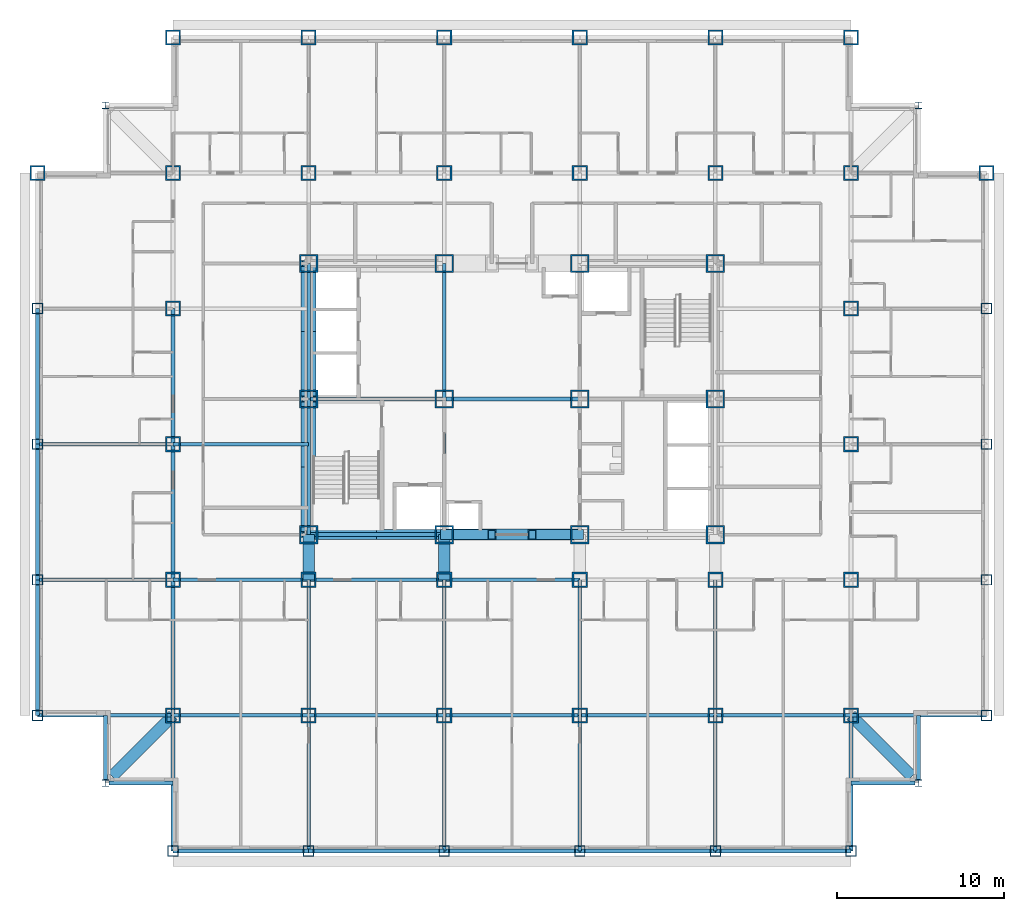
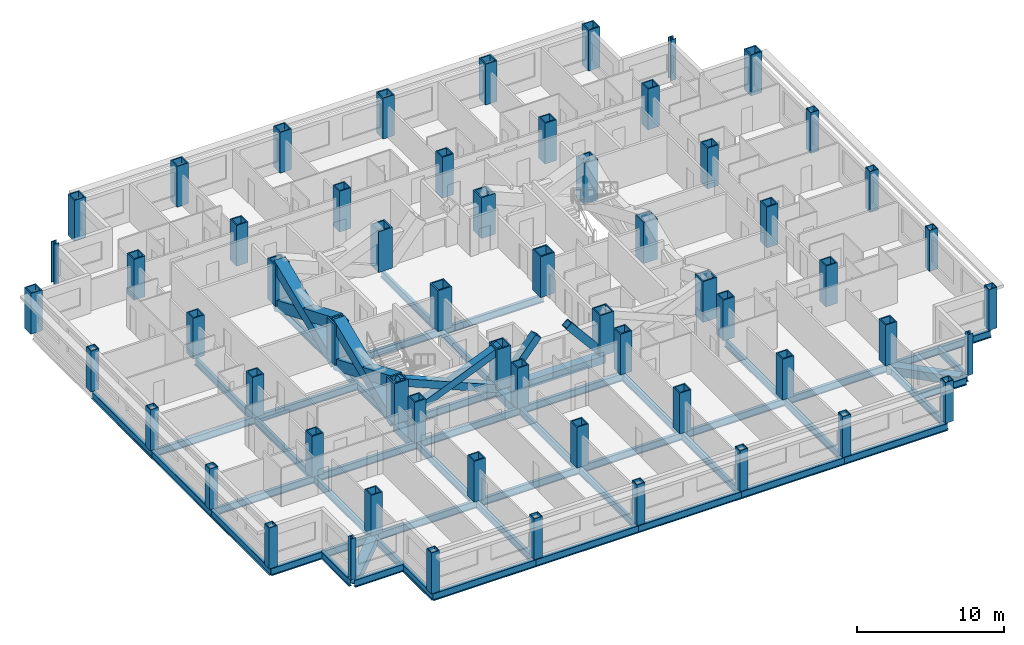
# One storey, part 1 of 14: 60 columns, 50 beams, 8 members.
"""IFC4 building model written with IfcOpenShell, lengths in metres."""

from ifc_helpers import new_model, si_unit, direction, frame, origin, origin_2d, place, context, subcontext, project, spatial, hollow_rectangle, i_section, extrude, material, material_profile, profile_set, type_object, element, save


model = new_model("IFC4")

# Units and contexts
model_context = context("Model", 3, precision=1e-05, world=origin(), true_north=direction((0.0, 1.0)))
body_context = subcontext(model_context, "Body", "Model", "MODEL_VIEW")
ifc_project = project(units=[si_unit("LENGTHUNIT", "METRE"), si_unit("AREAUNIT", "SQUARE_METRE"), si_unit("VOLUMEUNIT", "CUBIC_METRE"), si_unit("PLANEANGLEUNIT", "RADIAN"), si_unit("MASSUNIT", "GRAM", prefix="KILO")], contexts=[model_context])

# Site, building, storey
site_placement = place(None, origin())
site = spatial("IfcSite", under=ifc_project, at=site_placement, CompositionType="ELEMENT")
building_placement = place(site_placement, origin())
building = spatial("IfcBuilding", under=site, at=building_placement, Name="Kopane Lantern Tower", CompositionType="ELEMENT")
storey_placement = place(building_placement, frame((0.0, 0.0, 127.199951171875)))
storey = spatial("IfcBuildingStorey", under=building, at=storey_placement, Name="L32", CompositionType="ELEMENT", Elevation=127.199951171875)

# Columns
ifc_material_1 = material(Name="Steel S355JR", Category="steel")
ifc_material_profile_1 = material_profile(ifc_material_1, hollow_rectangle(XDim=1.10009765625, YDim=1.10009765625, WallThickness=0.10009765625, at=origin_2d()), Name="BOX 1100x1100x100")
ifc_profile_set_1 = profile_set([ifc_material_profile_1], Name="Steel S355JR")
column_type_1 = type_object("IfcColumnType", Name="COLUMN BOX 1100x1100x100", PredefinedType="COLUMN", material=ifc_profile_set_1)
for number, where, z_axis, x_axis, name in (
    (1, (16.199951171875, 24.300048828125, 0.0), (0.0, 0.0, 1.0), (1.0, 0.0, 0.0), "Column 4/E L32"),
    (2, (16.199951171875, 32.39990234375, 0.0), (0.0, 0.0, 1.0), (1.0, 0.0, 0.0), "Column 4/F L32"),
    (3, (16.199951171875, 40.5, 0.0), (0.0, 0.0, 1.0), (1.0, 0.0, 0.0), "Column 4/G L32"),
    (4, (24.300048828125, 24.300048828125, 0.0), (0.0, 0.0, 1.0), (1.0, 0.0, 0.0), "Column 5/E L32"),
    (5, (24.300048828125, 32.39990234375, 0.0), (0.0, 0.0, 1.0), (1.0, 0.0, 0.0), "Column 5/F L32"),
    (6, (24.300048828125, 40.5, 0.0), (0.0, 0.0, 1.0), (1.0, 0.0, 0.0), "Column 5/G L32"),
    (7, (32.39990234375, 24.300048828125, 0.0), (0.0, 0.0, 1.0), (1.0, 0.0, 0.0), "Column 6/E L32"),
    (8, (32.39990234375, 32.39990234375, 0.0), (0.0, 0.0, 1.0), (1.0, 0.0, 0.0), "Column 6/F L32"),
    (9, (32.39990234375, 40.5, 0.0), (0.0, 0.0, 1.0), (1.0, 0.0, 0.0), "Column 6/G L32"),
    (10, (40.5, 24.300048828125, 0.0), (0.0, 0.0, 1.0), (1.0, 0.0, 0.0), "Column 7/E L32"),
    (11, (40.5, 32.39990234375, 0.0), (0.0, 0.0, 1.0), (1.0, 0.0, 0.0), "Column 7/F L32"),
    (12, (40.5, 40.5, 0.0), (0.0, 0.0, 1.0), (1.0, 0.0, 0.0), "Column 7/G L32"),
):
    element("IfcColumn", number, at=place(storey_placement, frame(where, z_axis=z_axis, x_axis=x_axis)), inside=storey, type_object=column_type_1, Name=name, PredefinedType="COLUMN", context=body_context, shape_type="SweptSolid", body=[
        extrude(hollow_rectangle(XDim=1.10009765625, YDim=1.10009765625, WallThickness=0.10009765625, at=origin_2d()), origin(), (0.0, 0.0, 1.0), 3.400146484375),
    ])
ifc_material_2 = material(Name="Steel S355JR", Category="steel")
ifc_material_profile_2 = material_profile(ifc_material_2, hollow_rectangle(XDim=0.64990234375, YDim=0.64990234375, WallThickness=0.054931640625, at=origin_2d()), Name="BOX 650x650x55")
ifc_profile_set_2 = profile_set([ifc_material_profile_2], Name="Steel S355JR")
column_type_2 = type_object("IfcColumnType", Name="COLUMN BOX 650x650x55", PredefinedType="COLUMN", material=ifc_profile_set_2)
for number, where, z_axis, x_axis, name in (
    (13, (0.0, 13.5, 0.0), (0.0, 0.0, 1.0), (1.0, 0.0, 0.0), "Column 2/P2 L32"),
    (14, (0.0, 21.60009765625, 0.0), (0.0, 0.0, 1.0), (1.0, 0.0, 0.0), "Column 2/P3 L32"),
    (15, (0.0, 29.699951171875, 0.0), (0.0, 0.0, 1.0), (1.0, 0.0, 0.0), "Column 2/P4 L32"),
    (16, (0.0, 37.800048828125, 0.0), (0.0, 0.0, 1.0), (1.0, 0.0, 0.0), "Column 2/P5 L32"),
    (17, (8.10009765625, 5.39990234375, 0.0), (0.0, 0.0, 1.0), (1.0, 0.0, 0.0), "Column 3/P1 L32"),
    (18, (16.199951171875, 5.39990234375, 0.0), (0.0, 0.0, 1.0), (1.0, 0.0, 0.0), "Column 4/P1 L32"),
    (19, (24.300048828125, 5.39990234375, 0.0), (0.0, 0.0, 1.0), (1.0, 0.0, 0.0), "Column 5/P1 L32"),
    (20, (32.39990234375, 5.39990234375, 0.0), (0.0, 0.0, 1.0), (1.0, 0.0, 0.0), "Column 6/P1 L32"),
    (21, (40.5, 5.39990234375, 0.0), (0.0, 0.0, 1.0), (1.0, 0.0, 0.0), "Column 7/P1 L32"),
    (22, (48.60009765625, 5.39990234375, 0.0), (0.0, 0.0, 1.0), (1.0, 0.0, 0.0), "Column 8/P1 L32"),
    (23, (56.699951171875, 13.5, 0.0), (0.0, 0.0, 1.0), (1.0, 0.0, 0.0), "Column 9/P2 L32"),
    (24, (56.699951171875, 21.60009765625, 0.0), (0.0, 0.0, 1.0), (1.0, 0.0, 0.0), "Column 9/P3 L32"),
    (25, (56.699951171875, 29.699951171875, 0.0), (0.0, 0.0, 1.0), (1.0, 0.0, 0.0), "Column 9/P4 L32"),
    (26, (56.699951171875, 37.800048828125, 0.0), (0.0, 0.0, 1.0), (1.0, 0.0, 0.0), "Column 9/P5 L32"),
):
    element("IfcColumn", number, at=place(storey_placement, frame(where, z_axis=z_axis, x_axis=x_axis)), inside=storey, type_object=column_type_2, Name=name, PredefinedType="COLUMN", context=body_context, shape_type="SweptSolid", body=[
        extrude(hollow_rectangle(XDim=0.64990234375, YDim=0.64990234375, WallThickness=0.054931640625, at=origin_2d()), origin(), (0.0, 0.0, 1.0), 3.400146484375),
    ])
ifc_material_3 = material(Name="Steel S355JR", Category="steel")
ifc_material_profile_3 = material_profile(ifc_material_3, hollow_rectangle(XDim=0.89990234375, YDim=0.89990234375, WallThickness=0.090087890625, at=origin_2d()), Name="BOX 900x900x90")
ifc_profile_set_3 = profile_set([ifc_material_profile_3], Name="Steel S355JR")
column_type_3 = type_object("IfcColumnType", Name="COLUMN BOX 900x900x90", PredefinedType="COLUMN", material=ifc_profile_set_3)
for number, where, z_axis, x_axis, name in (
    (27, (0.0, 45.89990234375, 0.0), (0.0, 0.0, 1.0), (1.0, 0.0, 0.0), "Column 2/P6 L32"),
    (28, (8.10009765625, 13.5, 0.0), (0.0, 0.0, 1.0), (1.0, 0.0, 0.0), "Column 3/P2 L32"),
    (29, (8.10009765625, 21.60009765625, 0.0), (0.0, 0.0, 1.0), (1.0, 0.0, 0.0), "Column 3/P3 L32"),
    (30, (8.10009765625, 29.699951171875, 0.0), (0.0, 0.0, 1.0), (1.0, 0.0, 0.0), "Column 3/P4 L32"),
    (31, (8.10009765625, 37.800048828125, 0.0), (0.0, 0.0, 1.0), (1.0, 0.0, 0.0), "Column 3/P5 L32"),
    (32, (8.10009765625, 45.89990234375, 0.0), (0.0, 0.0, 1.0), (1.0, 0.0, 0.0), "Column 3/P6 L32"),
    (33, (8.10009765625, 54.0, 0.0), (0.0, 0.0, 1.0), (1.0, 0.0, 0.0), "Column 3/P7 L32"),
    (34, (16.199951171875, 13.5, 0.0), (0.0, 0.0, 1.0), (1.0, 0.0, 0.0), "Column 4/P2 L32"),
    (35, (16.199951171875, 21.60009765625, 0.0), (0.0, 0.0, 1.0), (1.0, 0.0, 0.0), "Column 4/P3 L32"),
    (36, (16.199951171875, 45.89990234375, 0.0), (0.0, 0.0, 1.0), (1.0, 0.0, 0.0), "Column 4/P6 L32"),
    (37, (16.199951171875, 54.0, 0.0), (0.0, 0.0, 1.0), (1.0, 0.0, 0.0), "Column 4/P7 L32"),
    (38, (24.300048828125, 13.5, 0.0), (0.0, 0.0, 1.0), (1.0, 0.0, 0.0), "Column 5/P2 L32"),
    (39, (24.300048828125, 21.60009765625, 0.0), (0.0, 0.0, 1.0), (1.0, 0.0, 0.0), "Column 5/P3 L32"),
    (40, (24.300048828125, 45.89990234375, 0.0), (0.0, 0.0, 1.0), (1.0, 0.0, 0.0), "Column 5/P6 L32"),
    (41, (24.300048828125, 54.0, 0.0), (0.0, 0.0, 1.0), (1.0, 0.0, 0.0), "Column 5/P7 L32"),
    (42, (32.39990234375, 13.5, 0.0), (0.0, 0.0, 1.0), (1.0, 0.0, 0.0), "Column 6/P2 L32"),
    (43, (32.39990234375, 21.60009765625, 0.0), (0.0, 0.0, 1.0), (1.0, 0.0, 0.0), "Column 6/P3 L32"),
    (44, (32.39990234375, 45.89990234375, 0.0), (0.0, 0.0, 1.0), (1.0, 0.0, 0.0), "Column 6/P6 L32"),
    (45, (32.39990234375, 54.0, 0.0), (0.0, 0.0, 1.0), (1.0, 0.0, 0.0), "Column 6/P7 L32"),
    (46, (40.5, 13.5, 0.0), (0.0, 0.0, 1.0), (1.0, 0.0, 0.0), "Column 7/P2 L32"),
    (47, (40.5, 21.60009765625, 0.0), (0.0, 0.0, 1.0), (1.0, 0.0, 0.0), "Column 7/P3 L32"),
    (48, (40.5, 45.89990234375, 0.0), (0.0, 0.0, 1.0), (1.0, 0.0, 0.0), "Column 7/P6 L32"),
    (49, (40.5, 54.0, 0.0), (0.0, 0.0, 1.0), (1.0, 0.0, 0.0), "Column 7/P7 L32"),
    (50, (48.60009765625, 13.5, 0.0), (0.0, 0.0, 1.0), (1.0, 0.0, 0.0), "Column 8/P2 L32"),
    (51, (48.60009765625, 21.60009765625, 0.0), (0.0, 0.0, 1.0), (1.0, 0.0, 0.0), "Column 8/P3 L32"),
    (52, (48.60009765625, 29.699951171875, 0.0), (0.0, 0.0, 1.0), (1.0, 0.0, 0.0), "Column 8/P4 L32"),
    (53, (48.60009765625, 37.800048828125, 0.0), (0.0, 0.0, 1.0), (1.0, 0.0, 0.0), "Column 8/P5 L32"),
    (54, (48.60009765625, 45.89990234375, 0.0), (0.0, 0.0, 1.0), (1.0, 0.0, 0.0), "Column 8/P6 L32"),
    (55, (48.60009765625, 54.0, 0.0), (0.0, 0.0, 1.0), (1.0, 0.0, 0.0), "Column 8/P7 L32"),
    (56, (56.699951171875, 45.89990234375, 0.0), (0.0, 0.0, 1.0), (1.0, 0.0, 0.0), "Column 9/P6 L32"),
):
    element("IfcColumn", number, at=place(storey_placement, frame(where, z_axis=z_axis, x_axis=x_axis)), inside=storey, type_object=column_type_3, Name=name, PredefinedType="COLUMN", context=body_context, shape_type="SweptSolid", body=[
        extrude(hollow_rectangle(XDim=0.89990234375, YDim=0.89990234375, WallThickness=0.090087890625, at=origin_2d()), origin(), (0.0, 0.0, 1.0), 3.400146484375),
    ])
ifc_material_4 = material(Name="Steel S355JR", Category="steel")
ifc_material_profile_4 = material_profile(ifc_material_4, i_section(OverallWidth=0.406982421875, OverallDepth=0.4189453125, WebThickness=0.030517578125, FlangeThickness=0.04931640625, FilletRadius=0.01513671875, at=origin_2d()), Name="UC 356x406x393")
ifc_profile_set_4 = profile_set([ifc_material_profile_4], Name="Steel S355JR")
column_type_4 = type_object("IfcColumnType", Name="COLUMN UC 356x406x393", PredefinedType="COLUMN", material=ifc_profile_set_4)
for number, where, z_axis, x_axis, name in (
    (57, (4.050048828125, 9.449951171875, 0.0), (0.0, 0.0, 1.0), (1.0, 0.0, 0.0), "Column 4.05/9.45 L32"),
    (58, (4.050048828125, 49.949951171875, 0.0), (0.0, 0.0, 1.0), (1.0, 0.0, 0.0), "Column 4.05/49.95 L32"),
    (59, (52.64990234375, 9.449951171875, 0.0), (0.0, 0.0, 1.0), (1.0, 0.0, 0.0), "Column 52.65/9.45 L32"),
    (60, (52.64990234375, 49.949951171875, 0.0), (0.0, 0.0, 1.0), (1.0, 0.0, 0.0), "Column 52.65/49.95 L32"),
):
    element("IfcColumn", number, at=place(storey_placement, frame(where, z_axis=z_axis, x_axis=x_axis)), inside=storey, type_object=column_type_4, Name=name, PredefinedType="COLUMN", context=body_context, shape_type="SweptSolid", body=[
        extrude(i_section(OverallWidth=0.406982421875, OverallDepth=0.4189453125, WebThickness=0.030517578125, FlangeThickness=0.04931640625, FilletRadius=0.01513671875, at=origin_2d()), origin(), (0.0, 0.0, 1.0), 3.400146484375),
    ])

# Members
ifc_material_5 = material(Name="Steel S355JR", Category="steel")
ifc_material_profile_5 = material_profile(ifc_material_5, hollow_rectangle(XDim=0.60009765625, YDim=0.60009765625, WallThickness=0.050048828125, at=origin_2d()), Name="BOX 600x600x50")
ifc_profile_set_5 = profile_set([ifc_material_profile_5], Name="Steel S355JR")
member_type_1 = type_object("IfcMemberType", Name="BRACE BOX 600x600x50", PredefinedType="BRACE", material=ifc_profile_set_5)
for number, where, z_axis, x_axis, name in (
    (61, (16.199951171875, 24.300048828125, -0.2099609375), (0.922069000757, 0.0, 0.387025526088), (0.0, 1.0, 0.0), "Core brace L32"),
    (62, (24.300048828125, 24.300048828125, -0.2099609375), (-0.922069000757, 0.0, 0.387025526088), (0.0, -1.0, 0.0), "Core brace L32"),
):
    element("IfcMember", number, at=place(storey_placement, frame(where, z_axis=z_axis, x_axis=x_axis)), inside=storey, type_object=member_type_1, Name=name, PredefinedType="BRACE", context=body_context, shape_type="SweptSolid", body=[
        extrude(hollow_rectangle(XDim=0.60009765625, YDim=0.60009765625, WallThickness=0.050048828125, at=origin_2d()), origin(), (0.0, 0.0, 1.0), 8.78466796875),
    ])
for number, where, z_axis, x_axis, name in (
    (63, (24.300048828125, 24.300048828125, -0.2099609375), (0.642390257445, 0.0, 0.7663776857), (0.0, 1.0, 0.0), "Core brace L32"),
    (64, (32.39990234375, 24.300048828125, -0.2099609375), (-0.642390257445, 0.0, 0.7663776857), (0.0, -1.0, 0.0), "Core brace L32"),
):
    element("IfcMember", number, at=place(storey_placement, frame(where, z_axis=z_axis, x_axis=x_axis)), inside=storey, type_object=member_type_1, Name=name, PredefinedType="BRACE", context=body_context, shape_type="SweptSolid", body=[
        extrude(hollow_rectangle(XDim=0.60009765625, YDim=0.60009765625, WallThickness=0.050048828125, at=origin_2d()), origin(), (0.0, 0.0, 1.0), 4.436279296875),
    ])
ifc_material_6 = material(Name="Steel S355JR", Category="steel")
ifc_material_profile_6 = material_profile(ifc_material_6, hollow_rectangle(XDim=0.89990234375, YDim=0.89990234375, WallThickness=0.090087890625, at=origin_2d()), Name="BOX 900x900x90")
ifc_profile_set_6 = profile_set([ifc_material_profile_6], Name="Steel S355JR")
member_type_2 = type_object("IfcMemberType", Name="BRACE BOX 900x900x90", PredefinedType="BRACE", material=ifc_profile_set_6)
for number, where, z_axis, x_axis, name in (
    (65, (16.199951171875, 24.300048828125, -0.2099609375), (0.0, 0.922064837731, 0.38703544414), (-1.0, 0.0, 0.0), "Core brace L32"),
    (66, (16.199951171875, 32.39990234375, -0.2099609375), (0.0, -0.922064837731, 0.38703544414), (1.0, 0.0, 0.0), "Core brace L32"),
):
    element("IfcMember", number, at=place(storey_placement, frame(where, z_axis=z_axis, x_axis=x_axis)), inside=storey, type_object=member_type_2, Name=name, PredefinedType="BRACE", context=body_context, shape_type="SweptSolid", body=[
        extrude(hollow_rectangle(XDim=0.89990234375, YDim=0.89990234375, WallThickness=0.090087890625, at=origin_2d()), origin(), (0.0, 0.0, 1.0), 8.784423828125),
    ])
for number, where, z_axis, x_axis, name in (
    (67, (16.199951171875, 32.39990234375, -0.2099609375), (0.0, 0.922069000757, 0.387025526088), (-1.0, 0.0, 0.0), "Core brace L32"),
    (68, (16.199951171875, 40.5, -0.2099609375), (0.0, -0.922069000757, 0.387025526088), (1.0, 0.0, 0.0), "Core brace L32"),
):
    element("IfcMember", number, at=place(storey_placement, frame(where, z_axis=z_axis, x_axis=x_axis)), inside=storey, type_object=member_type_2, Name=name, PredefinedType="BRACE", context=body_context, shape_type="SweptSolid", body=[
        extrude(hollow_rectangle(XDim=0.89990234375, YDim=0.89990234375, WallThickness=0.090087890625, at=origin_2d()), origin(), (0.0, 0.0, 1.0), 8.78466796875),
    ])

# Beams
ifc_material_7 = material(Name="Steel S355JR", Category="steel")
ifc_material_profile_7 = material_profile(ifc_material_7, i_section(OverallWidth=0.22900390625, OverallDepth=0.6123046875, WebThickness=0.011962890625, FlangeThickness=0.01953125, FilletRadius=0.0126953125, at=origin_2d()), Name="UB 610x229x125")
ifc_profile_set_7 = profile_set([ifc_material_profile_7], Name="Steel S355JR")
beam_type_1 = type_object("IfcBeamType", Name="CORE BEAM UB 610x229x125", PredefinedType="BEAM", material=ifc_profile_set_7)
beam_1_placement = place(storey_placement, frame((16.199951171875, 32.39990234375, -0.51611328125), z_axis=(1.0, 0.0, 0.0), x_axis=(0.0, 1.0, 0.0)))
element("IfcBeam", 69, at=beam_1_placement, inside=storey, type_object=beam_type_1, Name="Core Beam L32", PredefinedType="BEAM", context=body_context, shape_type="SweptSolid", body=[
    extrude(i_section(OverallWidth=0.22900390625, OverallDepth=0.6123046875, WebThickness=0.011962890625, FlangeThickness=0.01953125, FilletRadius=0.0126953125, at=origin_2d()), origin(), (0.0, 0.0, 1.0), 8.10009765625),
])
beam_2_placement = place(storey_placement, frame((24.300048828125, 24.300048828125, -0.51611328125), z_axis=(0.0, 1.0, 0.0), x_axis=(-1.0, 0.0, 0.0)))
element("IfcBeam", 70, at=beam_2_placement, inside=storey, type_object=beam_type_1, Name="Core Beam L32", PredefinedType="BEAM", context=body_context, shape_type="SweptSolid", body=[
    extrude(i_section(OverallWidth=0.22900390625, OverallDepth=0.6123046875, WebThickness=0.011962890625, FlangeThickness=0.01953125, FilletRadius=0.0126953125, at=origin_2d()), origin(), (0.0, 0.0, 1.0), 8.099853515625),
])
beam_3_placement = place(storey_placement, frame((24.300048828125, 32.39990234375, -0.51611328125), z_axis=(0.0, 1.0, 0.0), x_axis=(-1.0, 0.0, 0.0)))
element("IfcBeam", 71, at=beam_3_placement, inside=storey, type_object=beam_type_1, Name="Core Beam L32", PredefinedType="BEAM", context=body_context, shape_type="SweptSolid", body=[
    extrude(i_section(OverallWidth=0.22900390625, OverallDepth=0.6123046875, WebThickness=0.011962890625, FlangeThickness=0.01953125, FilletRadius=0.0126953125, at=origin_2d()), origin(), (0.0, 0.0, 1.0), 8.10009765625),
])
beam_4_placement = place(storey_placement, frame((24.300048828125, 32.39990234375, -0.51611328125), z_axis=(1.0, 0.0, 0.0), x_axis=(0.0, 1.0, 0.0)))
element("IfcBeam", 72, at=beam_4_placement, inside=storey, type_object=beam_type_1, Name="Core Beam L32", PredefinedType="BEAM", context=body_context, shape_type="SweptSolid", body=[
    extrude(i_section(OverallWidth=0.22900390625, OverallDepth=0.6123046875, WebThickness=0.011962890625, FlangeThickness=0.01953125, FilletRadius=0.0126953125, at=origin_2d()), origin(), (0.0, 0.0, 1.0), 8.099853515625),
])
ifc_material_8 = material(Name="Steel S355JR", Category="steel")
ifc_material_profile_8 = material_profile(ifc_material_8, hollow_rectangle(XDim=0.699951171875, YDim=0.699951171875, WallThickness=0.06005859375, at=origin_2d()), Name="BOX 700x700x60")
ifc_profile_set_8 = profile_set([ifc_material_profile_8], Name="Steel S355JR")
beam_type_2 = type_object("IfcBeamType", Name="CORNER TIE BEAM BOX 700x700x60", PredefinedType="BEAM", material=ifc_profile_set_8)
beam_5_placement = place(storey_placement, frame((4.447509765625, 9.847412109375, -0.56005859375), z_axis=(0.707106781187, 0.707106781187, 0.0), x_axis=(-0.707106781187, 0.707106781187, 0.0)))
element("IfcBeam", 73, at=beam_5_placement, inside=storey, type_object=beam_type_2, Name="Corner Tie Beam L32", PredefinedType="BEAM", context=body_context, shape_type="SweptSolid", body=[
    extrude(hollow_rectangle(XDim=0.699951171875, YDim=0.699951171875, WallThickness=0.06005859375, at=origin_2d()), origin(), (0.0, 0.0, 1.0), 5.16552734375),
])
beam_6_placement = place(storey_placement, frame((52.25244140625, 9.847412109375, -0.56005859375), z_axis=(-0.707083148333, 0.70713041325, 0.0), x_axis=(-0.70713041325, -0.707083148333, 0.0)))
element("IfcBeam", 74, at=beam_6_placement, inside=storey, type_object=beam_type_2, Name="Corner Tie Beam L32", PredefinedType="BEAM", context=body_context, shape_type="SweptSolid", body=[
    extrude(hollow_rectangle(XDim=0.699951171875, YDim=0.699951171875, WallThickness=0.06005859375, at=origin_2d()), origin(), (0.0, 0.0, 1.0), 5.165283203125),
])
ifc_material_9 = material(Name="Steel S355JR", Category="steel")
ifc_material_profile_9 = material_profile(ifc_material_9, i_section(OverallWidth=0.22900390625, OverallDepth=0.6123046875, WebThickness=0.011962890625, FlangeThickness=0.01953125, FilletRadius=0.0126953125, at=origin_2d()), Name="UB 610x229x125")
ifc_profile_set_9 = profile_set([ifc_material_profile_9], Name="Steel S355JR")
beam_type_3 = type_object("IfcBeamType", Name="EDGE BEAM UB 610x229x125", PredefinedType="BEAM", material=ifc_profile_set_9)
beam_7_placement = place(storey_placement, frame((4.050048828125, 9.653564453125, -0.51611328125), z_axis=(0.0, 1.0, 0.0), x_axis=(-1.0, 0.0, 0.0)))
element("IfcBeam", 75, at=beam_7_placement, inside=storey, type_object=beam_type_3, Name="Edge Beam L32", PredefinedType="BEAM", context=body_context, shape_type="SweptSolid", body=[
    extrude(i_section(OverallWidth=0.22900390625, OverallDepth=0.6123046875, WebThickness=0.011962890625, FlangeThickness=0.01953125, FilletRadius=0.0126953125, at=origin_2d()), origin(), (0.0, 0.0, 1.0), 3.846435546875),
])
beam_8_placement = place(storey_placement, frame((4.25341796875, 9.449951171875, -0.51611328125), z_axis=(1.0, 0.0, 0.0), x_axis=(0.0, 1.0, 0.0)))
element("IfcBeam", 76, at=beam_8_placement, inside=storey, type_object=beam_type_3, Name="Edge Beam L32", PredefinedType="BEAM", context=body_context, shape_type="SweptSolid", body=[
    extrude(i_section(OverallWidth=0.22900390625, OverallDepth=0.6123046875, WebThickness=0.011962890625, FlangeThickness=0.01953125, FilletRadius=0.0126953125, at=origin_2d()), origin(), (0.0, 0.0, 1.0), 3.8466796875),
])
for number, where, z_axis, x_axis, name in (
    (77, (52.446533203125, 9.449951171875, -0.51611328125), (-1.0, 0.0, 0.0), (0.0, -1.0, 0.0), "Edge Beam L32"),
    (78, (52.64990234375, 9.653564453125, -0.51611328125), (0.0, 1.0, 0.0), (-1.0, 0.0, 0.0), "Edge Beam L32"),
):
    element("IfcBeam", number, at=place(storey_placement, frame(where, z_axis=z_axis, x_axis=x_axis)), inside=storey, type_object=beam_type_3, Name=name, PredefinedType="BEAM", context=body_context, shape_type="SweptSolid", body=[
        extrude(i_section(OverallWidth=0.22900390625, OverallDepth=0.6123046875, WebThickness=0.011962890625, FlangeThickness=0.01953125, FilletRadius=0.0126953125, at=origin_2d()), origin(), (0.0, 0.0, 1.0), 3.846435546875),
    ])
ifc_material_10 = material(Name="Steel S355JR", Category="steel")
ifc_material_profile_10 = material_profile(ifc_material_10, hollow_rectangle(XDim=0.699951171875, YDim=0.699951171875, WallThickness=0.06005859375, at=origin_2d()), Name="BOX 700x700x60")
ifc_profile_set_10 = profile_set([ifc_material_profile_10], Name="Steel S355JR")
beam_type_4 = type_object("IfcBeamType", Name="GIRDER BOX 700x700x60", PredefinedType="BEAM", material=ifc_profile_set_10)
for number, where, z_axis, x_axis, name in (
    (79, (16.199951171875, 21.60009765625, -0.56005859375), (0.0, 1.0, 0.0), (-1.0, 0.0, 0.0), "Girder L32"),
    (80, (24.300048828125, 21.60009765625, -0.56005859375), (0.0, 1.0, 0.0), (-1.0, 0.0, 0.0), "Girder L32"),
):
    element("IfcBeam", number, at=place(storey_placement, frame(where, z_axis=z_axis, x_axis=x_axis)), inside=storey, type_object=beam_type_4, Name=name, PredefinedType="BEAM", context=body_context, shape_type="SweptSolid", body=[
        extrude(hollow_rectangle(XDim=0.699951171875, YDim=0.699951171875, WallThickness=0.06005859375, at=origin_2d()), origin(), (0.0, 0.0, 1.0), 2.699951171875),
    ])
ifc_material_11 = material(Name="Steel S355JR", Category="steel")
ifc_material_profile_11 = material_profile(ifc_material_11, i_section(OverallWidth=0.22900390625, OverallDepth=0.6123046875, WebThickness=0.011962890625, FlangeThickness=0.01953125, FilletRadius=0.0126953125, at=origin_2d()), Name="UB 610x229x125")
ifc_profile_set_11 = profile_set([ifc_material_profile_11], Name="Steel S355JR")
beam_type_5 = type_object("IfcBeamType", Name="GIRDER UB 610x229x125", PredefinedType="BEAM", material=ifc_profile_set_11)
for number, where, z_axis, x_axis, name in (
    (81, (0.0, 13.5, -0.51611328125), (0.0, 1.0, 0.0), (-1.0, 0.0, 0.0), "Girder L32"),
    (82, (0.0, 13.5, -0.51611328125), (1.0, 0.0, 0.0), (0.0, 1.0, 0.0), "Girder L32"),
):
    element("IfcBeam", number, at=place(storey_placement, frame(where, z_axis=z_axis, x_axis=x_axis)), inside=storey, type_object=beam_type_5, Name=name, PredefinedType="BEAM", context=body_context, shape_type="SweptSolid", body=[
        extrude(i_section(OverallWidth=0.22900390625, OverallDepth=0.6123046875, WebThickness=0.011962890625, FlangeThickness=0.01953125, FilletRadius=0.0126953125, at=origin_2d()), origin(), (0.0, 0.0, 1.0), 8.10009765625),
    ])
beam_9_placement = place(storey_placement, frame((0.0, 21.60009765625, -0.51611328125), z_axis=(0.0, 1.0, 0.0), x_axis=(-1.0, 0.0, 0.0)))
element("IfcBeam", 83, at=beam_9_placement, inside=storey, type_object=beam_type_5, Name="Girder L32", PredefinedType="BEAM", context=body_context, shape_type="SweptSolid", body=[
    extrude(i_section(OverallWidth=0.22900390625, OverallDepth=0.6123046875, WebThickness=0.011962890625, FlangeThickness=0.01953125, FilletRadius=0.0126953125, at=origin_2d()), origin(), (0.0, 0.0, 1.0), 8.099853515625),
])
for number, where, z_axis, x_axis, name in (
    (84, (0.0, 21.60009765625, -0.51611328125), (1.0, 0.0, 0.0), (0.0, 1.0, 0.0), "Girder L32"),
    (85, (0.0, 29.699951171875, -0.51611328125), (0.0, 1.0, 0.0), (-1.0, 0.0, 0.0), "Girder L32"),
    (86, (0.0, 29.699951171875, -0.51611328125), (1.0, 0.0, 0.0), (0.0, 1.0, 0.0), "Girder L32"),
    (87, (8.10009765625, 5.39990234375, -0.51611328125), (0.0, 1.0, 0.0), (-1.0, 0.0, 0.0), "Girder L32"),
):
    element("IfcBeam", number, at=place(storey_placement, frame(where, z_axis=z_axis, x_axis=x_axis)), inside=storey, type_object=beam_type_5, Name=name, PredefinedType="BEAM", context=body_context, shape_type="SweptSolid", body=[
        extrude(i_section(OverallWidth=0.22900390625, OverallDepth=0.6123046875, WebThickness=0.011962890625, FlangeThickness=0.01953125, FilletRadius=0.0126953125, at=origin_2d()), origin(), (0.0, 0.0, 1.0), 8.10009765625),
    ])
beam_10_placement = place(storey_placement, frame((8.10009765625, 5.39990234375, -0.51611328125), z_axis=(1.0, 0.0, 0.0), x_axis=(0.0, 1.0, 0.0)))
element("IfcBeam", 88, at=beam_10_placement, inside=storey, type_object=beam_type_5, Name="Girder L32", PredefinedType="BEAM", context=body_context, shape_type="SweptSolid", body=[
    extrude(i_section(OverallWidth=0.22900390625, OverallDepth=0.6123046875, WebThickness=0.011962890625, FlangeThickness=0.01953125, FilletRadius=0.0126953125, at=origin_2d()), origin(), (0.0, 0.0, 1.0), 8.099853515625),
])
beam_11_placement = place(storey_placement, frame((8.10009765625, 13.5, -0.51611328125), z_axis=(0.0, 1.0, 0.0), x_axis=(-1.0, 0.0, 0.0)))
element("IfcBeam", 89, at=beam_11_placement, inside=storey, type_object=beam_type_5, Name="Girder L32", PredefinedType="BEAM", context=body_context, shape_type="SweptSolid", body=[
    extrude(i_section(OverallWidth=0.22900390625, OverallDepth=0.6123046875, WebThickness=0.011962890625, FlangeThickness=0.01953125, FilletRadius=0.0126953125, at=origin_2d()), origin(), (0.0, 0.0, 1.0), 8.10009765625),
])
for number, where, z_axis, x_axis, name in (
    (90, (8.10009765625, 13.5, -0.51611328125), (1.0, 0.0, 0.0), (0.0, 1.0, 0.0), "Girder L32"),
    (91, (8.10009765625, 21.60009765625, -0.51611328125), (0.0, 1.0, 0.0), (-1.0, 0.0, 0.0), "Girder L32"),
    (92, (8.10009765625, 21.60009765625, -0.51611328125), (1.0, 0.0, 0.0), (0.0, 1.0, 0.0), "Girder L32"),
):
    element("IfcBeam", number, at=place(storey_placement, frame(where, z_axis=z_axis, x_axis=x_axis)), inside=storey, type_object=beam_type_5, Name=name, PredefinedType="BEAM", context=body_context, shape_type="SweptSolid", body=[
        extrude(i_section(OverallWidth=0.22900390625, OverallDepth=0.6123046875, WebThickness=0.011962890625, FlangeThickness=0.01953125, FilletRadius=0.0126953125, at=origin_2d()), origin(), (0.0, 0.0, 1.0), 8.099853515625),
    ])
beam_12_placement = place(storey_placement, frame((8.10009765625, 29.699951171875, -0.51611328125), z_axis=(0.0, 1.0, 0.0), x_axis=(-1.0, 0.0, 0.0)))
element("IfcBeam", 93, at=beam_12_placement, inside=storey, type_object=beam_type_5, Name="Girder L32", PredefinedType="BEAM", context=body_context, shape_type="SweptSolid", body=[
    extrude(i_section(OverallWidth=0.22900390625, OverallDepth=0.6123046875, WebThickness=0.011962890625, FlangeThickness=0.01953125, FilletRadius=0.0126953125, at=origin_2d()), origin(), (0.0, 0.0, 1.0), 8.10009765625),
])
beam_13_placement = place(storey_placement, frame((8.10009765625, 29.699951171875, -0.51611328125), z_axis=(1.0, 0.0, 0.0), x_axis=(0.0, 1.0, 0.0)))
element("IfcBeam", 94, at=beam_13_placement, inside=storey, type_object=beam_type_5, Name="Girder L32", PredefinedType="BEAM", context=body_context, shape_type="SweptSolid", body=[
    extrude(i_section(OverallWidth=0.22900390625, OverallDepth=0.6123046875, WebThickness=0.011962890625, FlangeThickness=0.01953125, FilletRadius=0.0126953125, at=origin_2d()), origin(), (0.0, 0.0, 1.0), 8.099853515625),
])
for number, where, z_axis, x_axis, name in (
    (95, (16.199951171875, 5.39990234375, -0.51611328125), (0.0, 1.0, 0.0), (-1.0, 0.0, 0.0), "Girder L32"),
    (96, (16.199951171875, 5.39990234375, -0.51611328125), (1.0, 0.0, 0.0), (0.0, 1.0, 0.0), "Girder L32"),
    (97, (16.199951171875, 13.5, -0.51611328125), (0.0, 1.0, 0.0), (-1.0, 0.0, 0.0), "Girder L32"),
    (98, (16.199951171875, 13.5, -0.51611328125), (1.0, 0.0, 0.0), (0.0, 1.0, 0.0), "Girder L32"),
    (99, (16.199951171875, 21.60009765625, -0.51611328125), (1.0, 0.0, 0.0), (0.0, 1.0, 0.0), "Girder L32"),
):
    element("IfcBeam", number, at=place(storey_placement, frame(where, z_axis=z_axis, x_axis=x_axis)), inside=storey, type_object=beam_type_5, Name=name, PredefinedType="BEAM", context=body_context, shape_type="SweptSolid", body=[
        extrude(i_section(OverallWidth=0.22900390625, OverallDepth=0.6123046875, WebThickness=0.011962890625, FlangeThickness=0.01953125, FilletRadius=0.0126953125, at=origin_2d()), origin(), (0.0, 0.0, 1.0), 8.10009765625),
    ])
beam_14_placement = place(storey_placement, frame((16.199951171875, 24.300048828125, -0.51611328125), z_axis=(0.0, 1.0, 0.0), x_axis=(-1.0, 0.0, 0.0)))
element("IfcBeam", 100, at=beam_14_placement, inside=storey, type_object=beam_type_5, Name="Girder L32", PredefinedType="BEAM", context=body_context, shape_type="SweptSolid", body=[
    extrude(i_section(OverallWidth=0.22900390625, OverallDepth=0.6123046875, WebThickness=0.011962890625, FlangeThickness=0.01953125, FilletRadius=0.0126953125, at=origin_2d()), origin(), (0.0, 0.0, 1.0), 8.099853515625),
])
for number, where, z_axis, x_axis, name in (
    (101, (16.199951171875, 24.300048828125, -0.51611328125), (1.0, 0.0, 0.0), (0.0, 1.0, 0.0), "Girder L32"),
    (102, (16.199951171875, 32.39990234375, -0.51611328125), (0.0, 1.0, 0.0), (-1.0, 0.0, 0.0), "Girder L32"),
    (103, (24.300048828125, 5.39990234375, -0.51611328125), (0.0, 1.0, 0.0), (-1.0, 0.0, 0.0), "Girder L32"),
):
    element("IfcBeam", number, at=place(storey_placement, frame(where, z_axis=z_axis, x_axis=x_axis)), inside=storey, type_object=beam_type_5, Name=name, PredefinedType="BEAM", context=body_context, shape_type="SweptSolid", body=[
        extrude(i_section(OverallWidth=0.22900390625, OverallDepth=0.6123046875, WebThickness=0.011962890625, FlangeThickness=0.01953125, FilletRadius=0.0126953125, at=origin_2d()), origin(), (0.0, 0.0, 1.0), 8.10009765625),
    ])
beam_15_placement = place(storey_placement, frame((24.300048828125, 5.39990234375, -0.51611328125), z_axis=(1.0, 0.0, 0.0), x_axis=(0.0, 1.0, 0.0)))
element("IfcBeam", 104, at=beam_15_placement, inside=storey, type_object=beam_type_5, Name="Girder L32", PredefinedType="BEAM", context=body_context, shape_type="SweptSolid", body=[
    extrude(i_section(OverallWidth=0.22900390625, OverallDepth=0.6123046875, WebThickness=0.011962890625, FlangeThickness=0.01953125, FilletRadius=0.0126953125, at=origin_2d()), origin(), (0.0, 0.0, 1.0), 8.099853515625),
])
beam_16_placement = place(storey_placement, frame((24.300048828125, 13.5, -0.51611328125), z_axis=(0.0, 1.0, 0.0), x_axis=(-1.0, 0.0, 0.0)))
element("IfcBeam", 105, at=beam_16_placement, inside=storey, type_object=beam_type_5, Name="Girder L32", PredefinedType="BEAM", context=body_context, shape_type="SweptSolid", body=[
    extrude(i_section(OverallWidth=0.22900390625, OverallDepth=0.6123046875, WebThickness=0.011962890625, FlangeThickness=0.01953125, FilletRadius=0.0126953125, at=origin_2d()), origin(), (0.0, 0.0, 1.0), 8.10009765625),
])
for number, where, z_axis, x_axis, name in (
    (106, (24.300048828125, 13.5, -0.51611328125), (1.0, 0.0, 0.0), (0.0, 1.0, 0.0), "Girder L32"),
    (107, (24.300048828125, 21.60009765625, -0.51611328125), (1.0, 0.0, 0.0), (0.0, 1.0, 0.0), "Girder L32"),
):
    element("IfcBeam", number, at=place(storey_placement, frame(where, z_axis=z_axis, x_axis=x_axis)), inside=storey, type_object=beam_type_5, Name=name, PredefinedType="BEAM", context=body_context, shape_type="SweptSolid", body=[
        extrude(i_section(OverallWidth=0.22900390625, OverallDepth=0.6123046875, WebThickness=0.011962890625, FlangeThickness=0.01953125, FilletRadius=0.0126953125, at=origin_2d()), origin(), (0.0, 0.0, 1.0), 8.099853515625),
    ])
for number, where, z_axis, x_axis, name in (
    (108, (32.39990234375, 5.39990234375, -0.51611328125), (0.0, 1.0, 0.0), (-1.0, 0.0, 0.0), "Girder L32"),
    (109, (32.39990234375, 5.39990234375, -0.51611328125), (1.0, 0.0, 0.0), (0.0, 1.0, 0.0), "Girder L32"),
    (110, (32.39990234375, 13.5, -0.51611328125), (0.0, 1.0, 0.0), (-1.0, 0.0, 0.0), "Girder L32"),
    (111, (32.39990234375, 13.5, -0.51611328125), (1.0, 0.0, 0.0), (0.0, 1.0, 0.0), "Girder L32"),
    (112, (40.5, 5.39990234375, -0.51611328125), (0.0, 1.0, 0.0), (-1.0, 0.0, 0.0), "Girder L32"),
    (113, (40.5, 5.39990234375, -0.51611328125), (1.0, 0.0, 0.0), (0.0, 1.0, 0.0), "Girder L32"),
    (114, (40.5, 13.5, -0.51611328125), (0.0, 1.0, 0.0), (-1.0, 0.0, 0.0), "Girder L32"),
    (115, (40.5, 13.5, -0.51611328125), (1.0, 0.0, 0.0), (0.0, 1.0, 0.0), "Girder L32"),
    (116, (48.60009765625, 5.39990234375, -0.51611328125), (0.0, 1.0, 0.0), (-1.0, 0.0, 0.0), "Girder L32"),
):
    element("IfcBeam", number, at=place(storey_placement, frame(where, z_axis=z_axis, x_axis=x_axis)), inside=storey, type_object=beam_type_5, Name=name, PredefinedType="BEAM", context=body_context, shape_type="SweptSolid", body=[
        extrude(i_section(OverallWidth=0.22900390625, OverallDepth=0.6123046875, WebThickness=0.011962890625, FlangeThickness=0.01953125, FilletRadius=0.0126953125, at=origin_2d()), origin(), (0.0, 0.0, 1.0), 8.10009765625),
    ])
beam_17_placement = place(storey_placement, frame((48.60009765625, 13.5, -0.51611328125), z_axis=(1.0, 0.0, 0.0), x_axis=(0.0, 1.0, 0.0)))
element("IfcBeam", 117, at=beam_17_placement, inside=storey, type_object=beam_type_5, Name="Girder L32", PredefinedType="BEAM", context=body_context, shape_type="SweptSolid", body=[
    extrude(i_section(OverallWidth=0.22900390625, OverallDepth=0.6123046875, WebThickness=0.011962890625, FlangeThickness=0.01953125, FilletRadius=0.0126953125, at=origin_2d()), origin(), (0.0, 0.0, 1.0), 8.099853515625),
])
ifc_material_12 = material(Name="Steel S355JR", Category="steel")
ifc_material_profile_12 = material_profile(ifc_material_12, hollow_rectangle(XDim=0.64990234375, YDim=0.64990234375, WallThickness=0.070068359375, at=origin_2d()), Name="BOX 650x650x70")
ifc_profile_set_12 = profile_set([ifc_material_profile_12], Name="Steel S355JR")
beam_type_6 = type_object("IfcBeamType", Name="LINK BEAM BOX 650x650x70", PredefinedType="BEAM", material=ifc_profile_set_12)
beam_18_placement = place(storey_placement, frame((24.300048828125, 24.300048828125, -0.534912109375), z_axis=(1.0, 0.0, 0.0), x_axis=(0.0, 1.0, 0.0)))
element("IfcBeam", 118, at=beam_18_placement, inside=storey, type_object=beam_type_6, Name="Link Beam L32", PredefinedType="BEAM", context=body_context, shape_type="SweptSolid", body=[
    extrude(hollow_rectangle(XDim=0.64990234375, YDim=0.64990234375, WallThickness=0.070068359375, at=origin_2d()), origin(), (0.0, 0.0, 1.0), 8.099853515625),
])

save(model, "model.ifc")
